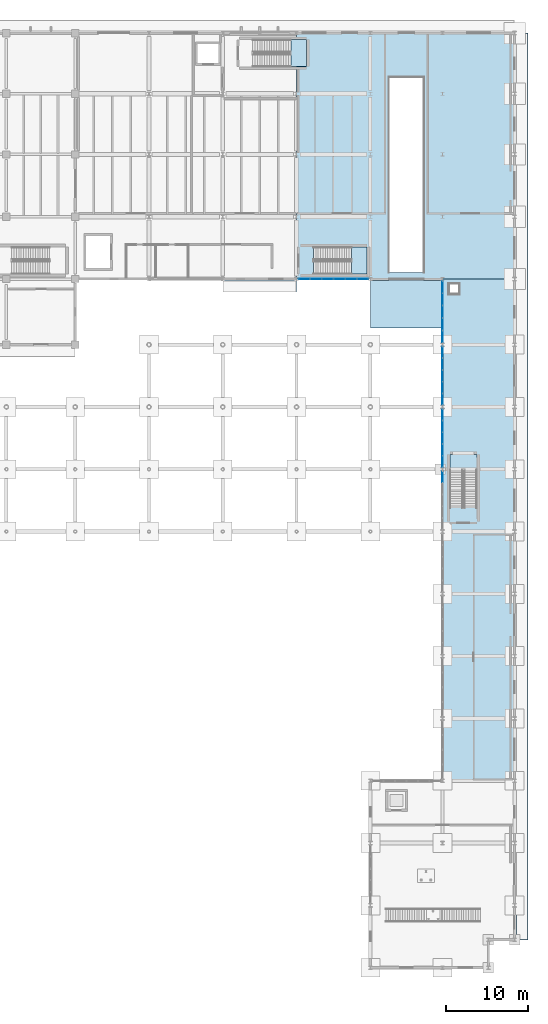
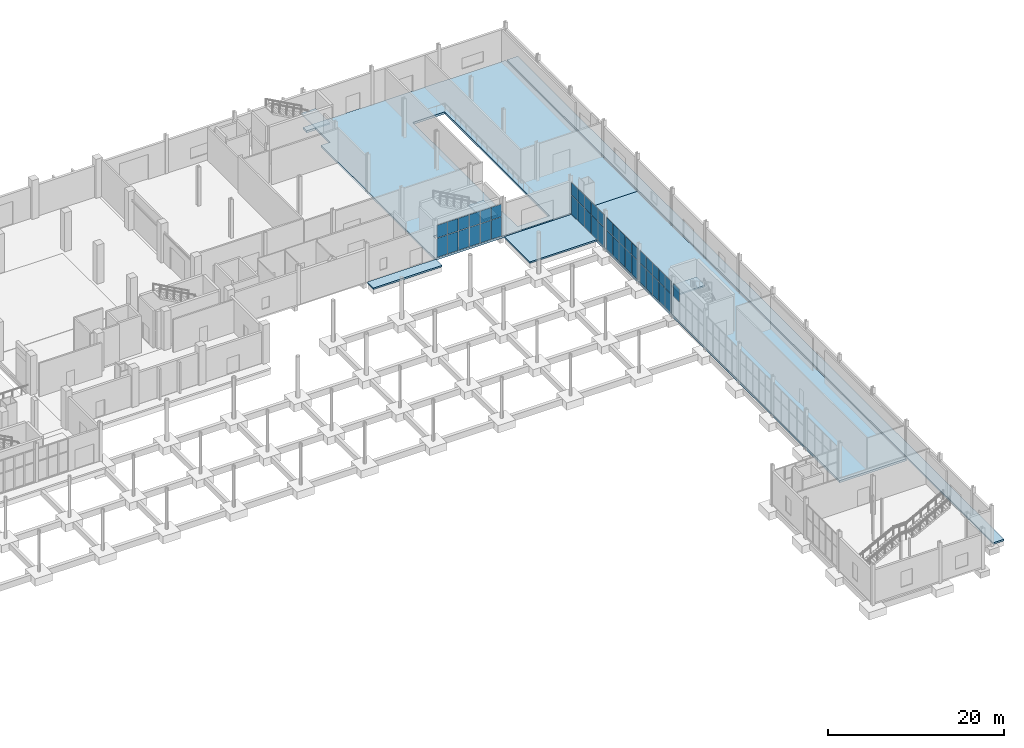
# One storey, part 67 of 95: 43 plates, 8 slabs, 8 elements without a shape of their own.
"""IFC4 building model written with IfcOpenShell, lengths in metres."""

from ifc_helpers import new_model, si_unit, direction, frame, origin, origin_2d, place, context, subcontext, project, spatial, polyline, rectangle, outline, extrude, material, layer, layer_set, type_object, element, aggregate, save


model = new_model("IFC4")

# Units and contexts
model_context = context("Model", 3, precision=1e-05, world=origin(), true_north=direction((0.0, 1.0)))
body_context = subcontext(model_context, "Body", "Model", "MODEL_VIEW")
ifc_project = project(units=[si_unit("LENGTHUNIT", "METRE"), si_unit("AREAUNIT", "SQUARE_METRE"), si_unit("VOLUMEUNIT", "CUBIC_METRE"), si_unit("PLANEANGLEUNIT", "RADIAN"), si_unit("MASSUNIT", "GRAM", prefix="KILO")], contexts=[model_context])

# Site, building, storey
site_placement = place(None, origin())
site = spatial("IfcSite", under=ifc_project, at=site_placement, CompositionType="ELEMENT")
building_placement = place(site_placement, origin())
building = spatial("IfcBuilding", under=site, at=building_placement, Name="Shengluoqiao Park Theatre", CompositionType="ELEMENT")
storey_placement = place(building_placement, origin())
storey = spatial("IfcBuildingStorey", under=building, at=storey_placement, Name="L00", CompositionType="ELEMENT", Elevation=0.0)

# Curtain wall, plates
ifc_material_1 = material(Name="Aluminium 6063-T6", Category="aluminium")
curtain_wall_type_1 = type_object("IfcCurtainWallType", Name="ENV-CW-CLERE", PredefinedType="NOTDEFINED", material=ifc_material_1)
curtain_wall_1_placement = place(storey_placement, origin())
curtain_wall_1 = element("IfcCurtainWall", 1, at=curtain_wall_1_placement, inside=storey, type_object=curtain_wall_type_1, Name="L00 Curtain Wall CWX-L00-0167", PredefinedType="NOTDEFINED")
ifc_material_2 = material(Name="Insulated glass", Category="glass")
ifc_layer_1 = layer(ifc_material_2, 0.0380859375, Name="Insulated glass")
ifc_layer_set_1 = layer_set([ifc_layer_1], Name="Insulated glass")
plate_type = type_object("IfcPlateType", Name="ENV-GLZ-GL-38", PredefinedType="CURTAIN_PANEL", material=ifc_layer_set_1)
plate_1_placement = place(storey_placement, frame((140.33837890625, 84.0, 0.06005859375), z_axis=(0.0, 0.0, 1.0), x_axis=(1.0, 0.0, 0.0)))
plate_1 = element("IfcPlate", 2, at=plate_1_placement, type_object=plate_type, Name="CW-06 panel 1.1", PredefinedType="CURTAIN_PANEL", context=body_context, shape_type="SweptSolid", body=[
    extrude(rectangle(XDim=1.340576171875, YDim=0.0380859375, at=origin_2d()), origin(), (0.0, 0.0, 1.0), 2.639892578125),
])
plate_2_placement = place(storey_placement, frame((140.33837890625, 84.0, 2.760009765625), z_axis=(0.0, 0.0, 1.0), x_axis=(1.0, 0.0, 0.0)))
plate_2 = element("IfcPlate", 3, at=plate_2_placement, type_object=plate_type, Name="CW-06 panel 1.2", PredefinedType="CURTAIN_PANEL", context=body_context, shape_type="SweptSolid", body=[
    extrude(rectangle(XDim=1.340576171875, YDim=0.0380859375, at=origin_2d()), origin(), (0.0, 0.0, 1.0), 1.72998046875),
])
plate_3_placement = place(storey_placement, frame((141.75390625, 84.0, 0.06005859375), z_axis=(0.0, 0.0, 1.0), x_axis=(1.0, 0.0, 0.0)))
plate_3 = element("IfcPlate", 4, at=plate_3_placement, type_object=plate_type, Name="CW-06 panel 2.1", PredefinedType="CURTAIN_PANEL", context=body_context, shape_type="SweptSolid", body=[
    extrude(rectangle(XDim=1.37060546875, YDim=0.0380859375, at=origin_2d()), origin(), (0.0, 0.0, 1.0), 2.639892578125),
])
plate_4_placement = place(storey_placement, frame((141.75390625, 84.0, 2.760009765625), z_axis=(0.0, 0.0, 1.0), x_axis=(1.0, 0.0, 0.0)))
plate_4 = element("IfcPlate", 5, at=plate_4_placement, type_object=plate_type, Name="CW-06 panel 2.2", PredefinedType="CURTAIN_PANEL", context=body_context, shape_type="SweptSolid", body=[
    extrude(rectangle(XDim=1.37060546875, YDim=0.0380859375, at=origin_2d()), origin(), (0.0, 0.0, 1.0), 1.72998046875),
])
plate_5_placement = place(storey_placement, frame((143.1845703125, 84.0, 0.06005859375), z_axis=(0.0, 0.0, 1.0), x_axis=(1.0, 0.0, 0.0)))
plate_5 = element("IfcPlate", 6, at=plate_5_placement, type_object=plate_type, Name="CW-06 panel 3.1", PredefinedType="CURTAIN_PANEL", context=body_context, shape_type="SweptSolid", body=[
    extrude(rectangle(XDim=1.37060546875, YDim=0.0380859375, at=origin_2d()), origin(), (0.0, 0.0, 1.0), 2.639892578125),
])
plate_6_placement = place(storey_placement, frame((143.1845703125, 84.0, 2.760009765625), z_axis=(0.0, 0.0, 1.0), x_axis=(1.0, 0.0, 0.0)))
plate_6 = element("IfcPlate", 7, at=plate_6_placement, type_object=plate_type, Name="CW-06 panel 3.2", PredefinedType="CURTAIN_PANEL", context=body_context, shape_type="SweptSolid", body=[
    extrude(rectangle(XDim=1.37060546875, YDim=0.0380859375, at=origin_2d()), origin(), (0.0, 0.0, 1.0), 1.72998046875),
])
plate_7_placement = place(storey_placement, frame((144.615234375, 84.0, 0.06005859375), z_axis=(0.0, 0.0, 1.0), x_axis=(1.0, 0.0, 0.0)))
plate_7 = element("IfcPlate", 8, at=plate_7_placement, type_object=plate_type, Name="CW-06 panel 4.1", PredefinedType="CURTAIN_PANEL", context=body_context, shape_type="SweptSolid", body=[
    extrude(rectangle(XDim=1.37060546875, YDim=0.0380859375, at=origin_2d()), origin(), (0.0, 0.0, 1.0), 2.639892578125),
])
plate_8_placement = place(storey_placement, frame((144.615234375, 84.0, 2.760009765625), z_axis=(0.0, 0.0, 1.0), x_axis=(1.0, 0.0, 0.0)))
plate_8 = element("IfcPlate", 9, at=plate_8_placement, type_object=plate_type, Name="CW-06 panel 4.2", PredefinedType="CURTAIN_PANEL", context=body_context, shape_type="SweptSolid", body=[
    extrude(rectangle(XDim=1.37060546875, YDim=0.0380859375, at=origin_2d()), origin(), (0.0, 0.0, 1.0), 1.72998046875),
])
plate_9_placement = place(storey_placement, frame((146.0458984375, 84.0, 0.06005859375), z_axis=(0.0, 0.0, 1.0), x_axis=(1.0, 0.0, 0.0)))
plate_9 = element("IfcPlate", 10, at=plate_9_placement, type_object=plate_type, Name="CW-06 panel 5.1", PredefinedType="CURTAIN_PANEL", context=body_context, shape_type="SweptSolid", body=[
    extrude(rectangle(XDim=1.37060546875, YDim=0.0380859375, at=origin_2d()), origin(), (0.0, 0.0, 1.0), 2.639892578125),
])
plate_10_placement = place(storey_placement, frame((146.0458984375, 84.0, 2.760009765625), z_axis=(0.0, 0.0, 1.0), x_axis=(1.0, 0.0, 0.0)))
plate_10 = element("IfcPlate", 11, at=plate_10_placement, type_object=plate_type, Name="CW-06 panel 5.2", PredefinedType="CURTAIN_PANEL", context=body_context, shape_type="SweptSolid", body=[
    extrude(rectangle(XDim=1.37060546875, YDim=0.0380859375, at=origin_2d()), origin(), (0.0, 0.0, 1.0), 1.72998046875),
])
plate_11_placement = place(storey_placement, frame((147.461669921875, 84.0, 0.06005859375), z_axis=(0.0, 0.0, 1.0), x_axis=(1.0, 0.0, 0.0)))
plate_11 = element("IfcPlate", 12, at=plate_11_placement, type_object=plate_type, Name="CW-06 panel 6.1", PredefinedType="CURTAIN_PANEL", context=body_context, shape_type="SweptSolid", body=[
    extrude(rectangle(XDim=1.340576171875, YDim=0.0380859375, at=origin_2d()), origin(), (0.0, 0.0, 1.0), 2.639892578125),
])
plate_12_placement = place(storey_placement, frame((147.461669921875, 84.0, 2.760009765625), z_axis=(0.0, 0.0, 1.0), x_axis=(1.0, 0.0, 0.0)))
plate_12 = element("IfcPlate", 13, at=plate_12_placement, type_object=plate_type, Name="CW-06 panel 6.2", PredefinedType="CURTAIN_PANEL", context=body_context, shape_type="SweptSolid", body=[
    extrude(rectangle(XDim=1.340576171875, YDim=0.0380859375, at=origin_2d()), origin(), (0.0, 0.0, 1.0), 1.72998046875),
])
aggregate(curtain_wall_1, [plate_1, plate_2, plate_3, plate_4, plate_5, plate_6, plate_7, plate_8, plate_9, plate_10, plate_11, plate_12])

# Curtain wall, plate
curtain_wall_type_2 = type_object("IfcCurtainWallType", Name="ENV-CW-COURT", PredefinedType="NOTDEFINED", material=ifc_material_1)
curtain_wall_2_placement = place(storey_placement, origin())
curtain_wall_2 = element("IfcCurtainWall", 14, at=curtain_wall_2_placement, inside=storey, type_object=curtain_wall_type_2, Name="L00 Curtain Wall CWX-L00-0174", PredefinedType="NOTDEFINED")
plate_13_placement = place(storey_placement, frame((157.199951171875, 59.86181640625, 2.7548828125), z_axis=(0.0, 0.0, 1.0), x_axis=(0.0, 1.0, 0.0)))
plate_13 = element("IfcPlate", 15, at=plate_13_placement, type_object=plate_type, Name="CW-05 panel 5.2", PredefinedType="CURTAIN_PANEL", context=body_context, shape_type="SweptSolid", body=[
    extrude(rectangle(XDim=1.348388671875, YDim=0.0380859375, at=origin_2d()), origin(), (0.0, 0.0, 1.0), 1.72705078125),
])
aggregate(curtain_wall_2, [plate_13])

# Curtain wall, plates
curtain_wall_3_placement = place(storey_placement, origin())
curtain_wall_3 = element("IfcCurtainWall", 16, at=curtain_wall_3_placement, inside=storey, type_object=curtain_wall_type_2, Name="L00 Curtain Wall CWX-L00-0175", PredefinedType="NOTDEFINED")
plate_14_placement = place(storey_placement, frame((157.199951171875, 61.73828125, 0.06005859375), z_axis=(0.0, 0.0, 1.0), x_axis=(0.0, 1.0, 0.0)))
plate_14 = element("IfcPlate", 17, at=plate_14_placement, type_object=plate_type, Name="CW-05 panel 1.1", PredefinedType="CURTAIN_PANEL", context=body_context, shape_type="SweptSolid", body=[
    extrude(rectangle(XDim=1.348388671875, YDim=0.0380859375, at=origin_2d()), origin(), (0.0, 0.0, 1.0), 2.635009765625),
])
plate_15_placement = place(storey_placement, frame((157.199951171875, 61.73828125, 2.7548828125), z_axis=(0.0, 0.0, 1.0), x_axis=(0.0, 1.0, 0.0)))
plate_15 = element("IfcPlate", 18, at=plate_15_placement, type_object=plate_type, Name="CW-05 panel 1.2", PredefinedType="CURTAIN_PANEL", context=body_context, shape_type="SweptSolid", body=[
    extrude(rectangle(XDim=1.348388671875, YDim=0.0380859375, at=origin_2d()), origin(), (0.0, 0.0, 1.0), 1.72705078125),
])
plate_16_placement = place(storey_placement, frame((157.199951171875, 63.16162109375, 0.06005859375), z_axis=(0.0, 0.0, 1.0), x_axis=(0.0, 1.0, 0.0)))
plate_16 = element("IfcPlate", 19, at=plate_16_placement, type_object=plate_type, Name="CW-05 panel 2.1", PredefinedType="CURTAIN_PANEL", context=body_context, shape_type="SweptSolid", body=[
    extrude(rectangle(XDim=1.37841796875, YDim=0.0380859375, at=origin_2d()), origin(), (0.0, 0.0, 1.0), 2.635009765625),
])
plate_17_placement = place(storey_placement, frame((157.199951171875, 63.16162109375, 2.7548828125), z_axis=(0.0, 0.0, 1.0), x_axis=(0.0, 1.0, 0.0)))
plate_17 = element("IfcPlate", 20, at=plate_17_placement, type_object=plate_type, Name="CW-05 panel 2.2", PredefinedType="CURTAIN_PANEL", context=body_context, shape_type="SweptSolid", body=[
    extrude(rectangle(XDim=1.37841796875, YDim=0.0380859375, at=origin_2d()), origin(), (0.0, 0.0, 1.0), 1.72705078125),
])
plate_18_placement = place(storey_placement, frame((157.199951171875, 64.60009765625, 0.06005859375), z_axis=(0.0, 0.0, 1.0), x_axis=(0.0, 1.0, 0.0)))
plate_18 = element("IfcPlate", 21, at=plate_18_placement, type_object=plate_type, Name="CW-05 panel 3.1", PredefinedType="CURTAIN_PANEL", context=body_context, shape_type="SweptSolid", body=[
    extrude(rectangle(XDim=1.37841796875, YDim=0.0380859375, at=origin_2d()), origin(), (0.0, 0.0, 1.0), 2.635009765625),
])
plate_19_placement = place(storey_placement, frame((157.199951171875, 64.60009765625, 2.7548828125), z_axis=(0.0, 0.0, 1.0), x_axis=(0.0, 1.0, 0.0)))
plate_19 = element("IfcPlate", 22, at=plate_19_placement, type_object=plate_type, Name="CW-05 panel 3.2", PredefinedType="CURTAIN_PANEL", context=body_context, shape_type="SweptSolid", body=[
    extrude(rectangle(XDim=1.37841796875, YDim=0.0380859375, at=origin_2d()), origin(), (0.0, 0.0, 1.0), 1.72705078125),
])
plate_20_placement = place(storey_placement, frame((157.199951171875, 66.038330078125, 0.06005859375), z_axis=(0.0, 0.0, 1.0), x_axis=(0.0, 1.0, 0.0)))
plate_20 = element("IfcPlate", 23, at=plate_20_placement, type_object=plate_type, Name="CW-05 panel 4.1", PredefinedType="CURTAIN_PANEL", context=body_context, shape_type="SweptSolid", body=[
    extrude(rectangle(XDim=1.37841796875, YDim=0.0380859375, at=origin_2d()), origin(), (0.0, 0.0, 1.0), 2.635009765625),
])
plate_21_placement = place(storey_placement, frame((157.199951171875, 66.038330078125, 2.7548828125), z_axis=(0.0, 0.0, 1.0), x_axis=(0.0, 1.0, 0.0)))
plate_21 = element("IfcPlate", 24, at=plate_21_placement, type_object=plate_type, Name="CW-05 panel 4.2", PredefinedType="CURTAIN_PANEL", context=body_context, shape_type="SweptSolid", body=[
    extrude(rectangle(XDim=1.37841796875, YDim=0.0380859375, at=origin_2d()), origin(), (0.0, 0.0, 1.0), 1.72705078125),
])
plate_22_placement = place(storey_placement, frame((157.199951171875, 67.4619140625, 0.06005859375), z_axis=(0.0, 0.0, 1.0), x_axis=(0.0, 1.0, 0.0)))
plate_22 = element("IfcPlate", 25, at=plate_22_placement, type_object=plate_type, Name="CW-05 panel 5.1", PredefinedType="CURTAIN_PANEL", context=body_context, shape_type="SweptSolid", body=[
    extrude(rectangle(XDim=1.348388671875, YDim=0.0380859375, at=origin_2d()), origin(), (0.0, 0.0, 1.0), 2.635009765625),
])
plate_23_placement = place(storey_placement, frame((157.199951171875, 67.4619140625, 2.7548828125), z_axis=(0.0, 0.0, 1.0), x_axis=(0.0, 1.0, 0.0)))
plate_23 = element("IfcPlate", 26, at=plate_23_placement, type_object=plate_type, Name="CW-05 panel 5.2", PredefinedType="CURTAIN_PANEL", context=body_context, shape_type="SweptSolid", body=[
    extrude(rectangle(XDim=1.348388671875, YDim=0.0380859375, at=origin_2d()), origin(), (0.0, 0.0, 1.0), 1.72705078125),
])
aggregate(curtain_wall_3, [plate_14, plate_15, plate_16, plate_17, plate_18, plate_19, plate_20, plate_21, plate_22, plate_23])

curtain_wall_4_placement = place(storey_placement, origin())
curtain_wall_4 = element("IfcCurtainWall", 27, at=curtain_wall_4_placement, inside=storey, type_object=curtain_wall_type_2, Name="L00 Curtain Wall CWX-L00-0176", PredefinedType="NOTDEFINED")
plate_24_placement = place(storey_placement, frame((157.199951171875, 69.338134765625, 0.06005859375), z_axis=(0.0, 0.0, 1.0), x_axis=(0.0, 1.0, 0.0)))
plate_24 = element("IfcPlate", 28, at=plate_24_placement, type_object=plate_type, Name="CW-05 panel 1.1", PredefinedType="CURTAIN_PANEL", context=body_context, shape_type="SweptSolid", body=[
    extrude(rectangle(XDim=1.348388671875, YDim=0.0380859375, at=origin_2d()), origin(), (0.0, 0.0, 1.0), 2.635009765625),
])
plate_25_placement = place(storey_placement, frame((157.199951171875, 69.338134765625, 2.7548828125), z_axis=(0.0, 0.0, 1.0), x_axis=(0.0, 1.0, 0.0)))
plate_25 = element("IfcPlate", 29, at=plate_25_placement, type_object=plate_type, Name="CW-05 panel 1.2", PredefinedType="CURTAIN_PANEL", context=body_context, shape_type="SweptSolid", body=[
    extrude(rectangle(XDim=1.348388671875, YDim=0.0380859375, at=origin_2d()), origin(), (0.0, 0.0, 1.0), 1.72705078125),
])
plate_26_placement = place(storey_placement, frame((157.199951171875, 70.76171875, 0.06005859375), z_axis=(0.0, 0.0, 1.0), x_axis=(0.0, 1.0, 0.0)))
plate_26 = element("IfcPlate", 30, at=plate_26_placement, type_object=plate_type, Name="CW-05 panel 2.1", PredefinedType="CURTAIN_PANEL", context=body_context, shape_type="SweptSolid", body=[
    extrude(rectangle(XDim=1.37841796875, YDim=0.0380859375, at=origin_2d()), origin(), (0.0, 0.0, 1.0), 2.635009765625),
])
plate_27_placement = place(storey_placement, frame((157.199951171875, 70.76171875, 2.7548828125), z_axis=(0.0, 0.0, 1.0), x_axis=(0.0, 1.0, 0.0)))
plate_27 = element("IfcPlate", 31, at=plate_27_placement, type_object=plate_type, Name="CW-05 panel 2.2", PredefinedType="CURTAIN_PANEL", context=body_context, shape_type="SweptSolid", body=[
    extrude(rectangle(XDim=1.37841796875, YDim=0.0380859375, at=origin_2d()), origin(), (0.0, 0.0, 1.0), 1.72705078125),
])
plate_28_placement = place(storey_placement, frame((157.199951171875, 72.199951171875, 0.06005859375), z_axis=(0.0, 0.0, 1.0), x_axis=(0.0, 1.0, 0.0)))
plate_28 = element("IfcPlate", 32, at=plate_28_placement, type_object=plate_type, Name="CW-05 panel 3.1", PredefinedType="CURTAIN_PANEL", context=body_context, shape_type="SweptSolid", body=[
    extrude(rectangle(XDim=1.37841796875, YDim=0.0380859375, at=origin_2d()), origin(), (0.0, 0.0, 1.0), 2.635009765625),
])
plate_29_placement = place(storey_placement, frame((157.199951171875, 72.199951171875, 2.7548828125), z_axis=(0.0, 0.0, 1.0), x_axis=(0.0, 1.0, 0.0)))
plate_29 = element("IfcPlate", 33, at=plate_29_placement, type_object=plate_type, Name="CW-05 panel 3.2", PredefinedType="CURTAIN_PANEL", context=body_context, shape_type="SweptSolid", body=[
    extrude(rectangle(XDim=1.37841796875, YDim=0.0380859375, at=origin_2d()), origin(), (0.0, 0.0, 1.0), 1.72705078125),
])
plate_30_placement = place(storey_placement, frame((157.199951171875, 73.638427734375, 0.06005859375), z_axis=(0.0, 0.0, 1.0), x_axis=(0.0, 1.0, 0.0)))
plate_30 = element("IfcPlate", 34, at=plate_30_placement, type_object=plate_type, Name="CW-05 panel 4.1", PredefinedType="CURTAIN_PANEL", context=body_context, shape_type="SweptSolid", body=[
    extrude(rectangle(XDim=1.37841796875, YDim=0.0380859375, at=origin_2d()), origin(), (0.0, 0.0, 1.0), 2.635009765625),
])
plate_31_placement = place(storey_placement, frame((157.199951171875, 73.638427734375, 2.7548828125), z_axis=(0.0, 0.0, 1.0), x_axis=(0.0, 1.0, 0.0)))
plate_31 = element("IfcPlate", 35, at=plate_31_placement, type_object=plate_type, Name="CW-05 panel 4.2", PredefinedType="CURTAIN_PANEL", context=body_context, shape_type="SweptSolid", body=[
    extrude(rectangle(XDim=1.37841796875, YDim=0.0380859375, at=origin_2d()), origin(), (0.0, 0.0, 1.0), 1.72705078125),
])
plate_32_placement = place(storey_placement, frame((157.199951171875, 75.061767578125, 0.06005859375), z_axis=(0.0, 0.0, 1.0), x_axis=(0.0, 1.0, 0.0)))
plate_32 = element("IfcPlate", 36, at=plate_32_placement, type_object=plate_type, Name="CW-05 panel 5.1", PredefinedType="CURTAIN_PANEL", context=body_context, shape_type="SweptSolid", body=[
    extrude(rectangle(XDim=1.348388671875, YDim=0.0380859375, at=origin_2d()), origin(), (0.0, 0.0, 1.0), 2.635009765625),
])
plate_33_placement = place(storey_placement, frame((157.199951171875, 75.061767578125, 2.7548828125), z_axis=(0.0, 0.0, 1.0), x_axis=(0.0, 1.0, 0.0)))
plate_33 = element("IfcPlate", 37, at=plate_33_placement, type_object=plate_type, Name="CW-05 panel 5.2", PredefinedType="CURTAIN_PANEL", context=body_context, shape_type="SweptSolid", body=[
    extrude(rectangle(XDim=1.348388671875, YDim=0.0380859375, at=origin_2d()), origin(), (0.0, 0.0, 1.0), 1.72705078125),
])
aggregate(curtain_wall_4, [plate_24, plate_25, plate_26, plate_27, plate_28, plate_29, plate_30, plate_31, plate_32, plate_33])

curtain_wall_5_placement = place(storey_placement, origin())
curtain_wall_5 = element("IfcCurtainWall", 38, at=curtain_wall_5_placement, inside=storey, type_object=curtain_wall_type_2, Name="L00 Curtain Wall CWX-L00-0177", PredefinedType="NOTDEFINED")
plate_34_placement = place(storey_placement, frame((157.199951171875, 76.978271484375, 0.06005859375), z_axis=(0.0, 0.0, 1.0), x_axis=(0.0, 1.0, 0.0)))
plate_34 = element("IfcPlate", 39, at=plate_34_placement, type_object=plate_type, Name="CW-05 panel 1.1", PredefinedType="CURTAIN_PANEL", context=body_context, shape_type="SweptSolid", body=[
    extrude(rectangle(XDim=1.428466796875, YDim=0.0380859375, at=origin_2d()), origin(), (0.0, 0.0, 1.0), 2.635009765625),
])
plate_35_placement = place(storey_placement, frame((157.199951171875, 76.978271484375, 2.7548828125), z_axis=(0.0, 0.0, 1.0), x_axis=(0.0, 1.0, 0.0)))
plate_35 = element("IfcPlate", 40, at=plate_35_placement, type_object=plate_type, Name="CW-05 panel 1.2", PredefinedType="CURTAIN_PANEL", context=body_context, shape_type="SweptSolid", body=[
    extrude(rectangle(XDim=1.428466796875, YDim=0.0380859375, at=origin_2d()), origin(), (0.0, 0.0, 1.0), 1.72705078125),
])
plate_36_placement = place(storey_placement, frame((157.199951171875, 78.481689453125, 0.06005859375), z_axis=(0.0, 0.0, 1.0), x_axis=(0.0, 1.0, 0.0)))
plate_36 = element("IfcPlate", 41, at=plate_36_placement, type_object=plate_type, Name="CW-05 panel 2.1", PredefinedType="CURTAIN_PANEL", context=body_context, shape_type="SweptSolid", body=[
    extrude(rectangle(XDim=1.45849609375, YDim=0.0380859375, at=origin_2d()), origin(), (0.0, 0.0, 1.0), 2.635009765625),
])
plate_37_placement = place(storey_placement, frame((157.199951171875, 78.481689453125, 2.7548828125), z_axis=(0.0, 0.0, 1.0), x_axis=(0.0, 1.0, 0.0)))
plate_37 = element("IfcPlate", 42, at=plate_37_placement, type_object=plate_type, Name="CW-05 panel 2.2", PredefinedType="CURTAIN_PANEL", context=body_context, shape_type="SweptSolid", body=[
    extrude(rectangle(XDim=1.45849609375, YDim=0.0380859375, at=origin_2d()), origin(), (0.0, 0.0, 1.0), 1.72705078125),
])
plate_38_placement = place(storey_placement, frame((157.199951171875, 80.0, 0.06005859375), z_axis=(0.0, 0.0, 1.0), x_axis=(0.0, 1.0, 0.0)))
plate_38 = element("IfcPlate", 43, at=plate_38_placement, type_object=plate_type, Name="CW-05 panel 3.1", PredefinedType="CURTAIN_PANEL", context=body_context, shape_type="SweptSolid", body=[
    extrude(rectangle(XDim=1.45849609375, YDim=0.0380859375, at=origin_2d()), origin(), (0.0, 0.0, 1.0), 2.635009765625),
])
plate_39_placement = place(storey_placement, frame((157.199951171875, 80.0, 2.7548828125), z_axis=(0.0, 0.0, 1.0), x_axis=(0.0, 1.0, 0.0)))
plate_39 = element("IfcPlate", 44, at=plate_39_placement, type_object=plate_type, Name="CW-05 panel 3.2", PredefinedType="CURTAIN_PANEL", context=body_context, shape_type="SweptSolid", body=[
    extrude(rectangle(XDim=1.45849609375, YDim=0.0380859375, at=origin_2d()), origin(), (0.0, 0.0, 1.0), 1.72705078125),
])
plate_40_placement = place(storey_placement, frame((157.199951171875, 81.518310546875, 0.06005859375), z_axis=(0.0, 0.0, 1.0), x_axis=(0.0, 1.0, 0.0)))
plate_40 = element("IfcPlate", 45, at=plate_40_placement, type_object=plate_type, Name="CW-05 panel 4.1", PredefinedType="CURTAIN_PANEL", context=body_context, shape_type="SweptSolid", body=[
    extrude(rectangle(XDim=1.45849609375, YDim=0.0380859375, at=origin_2d()), origin(), (0.0, 0.0, 1.0), 2.635009765625),
])
plate_41_placement = place(storey_placement, frame((157.199951171875, 81.518310546875, 2.7548828125), z_axis=(0.0, 0.0, 1.0), x_axis=(0.0, 1.0, 0.0)))
plate_41 = element("IfcPlate", 46, at=plate_41_placement, type_object=plate_type, Name="CW-05 panel 4.2", PredefinedType="CURTAIN_PANEL", context=body_context, shape_type="SweptSolid", body=[
    extrude(rectangle(XDim=1.45849609375, YDim=0.0380859375, at=origin_2d()), origin(), (0.0, 0.0, 1.0), 1.72705078125),
])
plate_42_placement = place(storey_placement, frame((157.199951171875, 83.021728515625, 0.06005859375), z_axis=(0.0, 0.0, 1.0), x_axis=(0.0, 1.0, 0.0)))
plate_42 = element("IfcPlate", 47, at=plate_42_placement, type_object=plate_type, Name="CW-05 panel 5.1", PredefinedType="CURTAIN_PANEL", context=body_context, shape_type="SweptSolid", body=[
    extrude(rectangle(XDim=1.428466796875, YDim=0.0380859375, at=origin_2d()), origin(), (0.0, 0.0, 1.0), 2.635009765625),
])
plate_43_placement = place(storey_placement, frame((157.199951171875, 83.021728515625, 2.7548828125), z_axis=(0.0, 0.0, 1.0), x_axis=(0.0, 1.0, 0.0)))
plate_43 = element("IfcPlate", 48, at=plate_43_placement, type_object=plate_type, Name="CW-05 panel 5.2", PredefinedType="CURTAIN_PANEL", context=body_context, shape_type="SweptSolid", body=[
    extrude(rectangle(XDim=1.428466796875, YDim=0.0380859375, at=origin_2d()), origin(), (0.0, 0.0, 1.0), 1.72705078125),
])
aggregate(curtain_wall_5, [plate_34, plate_35, plate_36, plate_37, plate_38, plate_39, plate_40, plate_41, plate_42, plate_43])

# Slabs
ifc_material_3 = material(Name="Concrete C40", Category="concrete")
ifc_layer_2 = layer(ifc_material_3, 0.219970703125, Name="Concrete C40")
ifc_layer_set_2 = layer_set([ifc_layer_2], Name="Concrete C40")
slab_type_1 = type_object("IfcSlabType", Name="ENV-SLB-APRON", PredefinedType="BASESLAB", material=ifc_layer_set_2)
slab_1_placement = place(storey_placement, frame((0.0, 0.0, -0.219970703125)))
element("IfcSlab", 49, at=slab_1_placement, inside=storey, type_object=slab_type_1, Name="Exterior Threshold Apron APR-EAST-ART", PredefinedType="BASESLAB", context=body_context, shape_type="SweptSolid", body=[
    extrude(outline(polyline([(166.179931640625, 3.39990234375), (167.60009765625, 3.39990234375), (167.60009765625, 114.0), (166.179931640625, 114.0), (166.179931640625, 3.39990234375)])), origin(), (0.0, 0.0, 1.0), 0.219970703125),
])
slab_2_placement = place(storey_placement, frame((0.0, 0.0, -0.219970703125)))
element("IfcSlab", 50, at=slab_2_placement, inside=storey, type_object=slab_type_1, Name="Exterior Threshold Apron APR-VRAMP-CRT", PredefinedType="BASESLAB", context=body_context, shape_type="SweptSolid", body=[
    extrude(outline(polyline([(148.39990234375, 78.0), (157.199951171875, 78.0), (157.199951171875, 83.800048828125), (148.39990234375, 83.800048828125), (148.39990234375, 78.0)])), origin(), (0.0, 0.0, 1.0), 0.219970703125),
])
slab_3_placement = place(storey_placement, frame((0.0, 0.0, -0.219970703125)))
element("IfcSlab", 51, at=slab_3_placement, inside=storey, type_object=slab_type_1, Name="Exterior Threshold Apron APR-ST10-CRT", PredefinedType="BASESLAB", context=body_context, shape_type="SweptSolid", body=[
    extrude(outline(polyline([(130.39990234375, 82.39990234375), (139.39990234375, 82.39990234375), (139.39990234375, 83.800048828125), (130.39990234375, 83.800048828125), (130.39990234375, 82.39990234375)])), origin(), (0.0, 0.0, 1.0), 0.219970703125),
])

# Stair, slab
stair_type = type_object("IfcStairType", Name="INT-STR-CORE", PredefinedType="HALF_TURN_STAIR", material=ifc_material_3)
stair_1_placement = place(storey_placement, origin())
stair_1 = element("IfcStair", 52, at=stair_1_placement, inside=storey, type_object=stair_type, Name="L00 Backstage and Workshop Escape Stair 06", PredefinedType="HALF_TURN_STAIR")
ifc_layer_3 = layer(ifc_material_3, 0.169921875, Name="Concrete C40")
ifc_layer_set_3 = layer_set([ifc_layer_3], Name="Concrete C40")
slab_type_2 = type_object("IfcSlabType", Name="INT-LND-SL-170", PredefinedType="LANDING", material=ifc_layer_set_3)
slab_4_placement = place(storey_placement, frame((0.0, 0.0, 2.5)))
slab_4 = element("IfcSlab", 53, at=slab_4_placement, type_object=slab_type_2, Name="ST-06 landing 1", PredefinedType="LANDING", context=body_context, shape_type="SweptSolid", body=[
    extrude(outline(polyline([(138.68994140625, 109.89990234375), (140.60009765625, 109.89990234375), (140.60009765625, 113.199951171875), (138.68994140625, 113.199951171875), (138.68994140625, 109.89990234375)])), origin(), (0.0, 0.0, 1.0), 0.199951171875),
])
aggregate(stair_1, [slab_4])

stair_2_placement = place(storey_placement, origin())
stair_2 = element("IfcStair", 54, at=stair_2_placement, inside=storey, type_object=stair_type, Name="L00 Upper Backstage Escape Stair 10", PredefinedType="HALF_TURN_STAIR")
ifc_layer_4 = layer(ifc_material_3, 0.199951171875, Name="Concrete C40")
ifc_layer_set_4 = layer_set([ifc_layer_4], Name="Concrete C40")
slab_type_3 = type_object("IfcSlabType", Name="INT-LND-SL-200", PredefinedType="LANDING", material=ifc_layer_set_4)
slab_5_placement = place(storey_placement, frame((0.0, 0.0, 2.5)))
slab_5 = element("IfcSlab", 55, at=slab_5_placement, type_object=slab_type_3, Name="ST-10 landing 1", PredefinedType="LANDING", context=body_context, shape_type="SweptSolid", body=[
    extrude(outline(polyline([(146.090087890625, 84.60009765625), (148.0, 84.60009765625), (148.0, 87.89990234375), (146.090087890625, 87.89990234375), (146.090087890625, 84.60009765625)])), origin(), (0.0, 0.0, 1.0), 0.199951171875),
])
aggregate(stair_2, [slab_5])

stair_3_placement = place(storey_placement, origin())
stair_3 = element("IfcStair", 56, at=stair_3_placement, inside=storey, type_object=stair_type, Name="L00 East Artist Wing Escape Stair 12", PredefinedType="HALF_TURN_STAIR")
slab_6_placement = place(storey_placement, frame((0.0, 0.0, 2.5)))
slab_6 = element("IfcSlab", 57, at=slab_6_placement, type_object=slab_type_3, Name="ST-12 landing 1", PredefinedType="LANDING", context=body_context, shape_type="SweptSolid", body=[
    extrude(outline(polyline([(161.39990234375, 60.68994140625), (161.39990234375, 62.60009765625), (158.10009765625, 62.60009765625), (158.10009765625, 60.68994140625), (161.39990234375, 60.68994140625)])), origin(), (0.0, 0.0, 1.0), 0.199951171875),
])
aggregate(stair_3, [slab_6])

# Slabs
ifc_layer_5 = layer(ifc_material_3, 0.300048828125, Name="Concrete C40")
ifc_layer_set_5 = layer_set([ifc_layer_5], Name="Concrete C40")
slab_type_4 = type_object("IfcSlabType", Name="STR-SLB-FL300", PredefinedType="FLOOR", material=ifc_layer_set_5)
slab_7_placement = place(storey_placement, frame((0.0, 0.0, -0.300048828125)))
element("IfcSlab", 58, at=slab_7_placement, inside=storey, type_object=slab_type_4, Name="Floor Slab L00-V6-NE2", PredefinedType="FLOOR", context=body_context, shape_type="SweptSolid", body=[
    extrude(outline(polyline([(139.39990234375, 114.0), (166.0, 114.0), (166.0, 84.0), (139.39990234375, 84.0), (139.39990234375, 109.89990234375), (140.60009765625, 109.89990234375), (140.60009765625, 113.199951171875), (139.39990234375, 113.199951171875), (139.39990234375, 114.0)]), holes=[polyline([(148.0, 84.60009765625), (148.0, 87.89990234375), (141.4541015625, 87.89990234375), (141.4541015625, 84.60009765625), (148.0, 84.60009765625)]), polyline([(154.89990234375, 84.800048828125), (154.89990234375, 108.60009765625), (150.699951171875, 108.60009765625), (150.699951171875, 84.800048828125), (154.89990234375, 84.800048828125)])]), origin(), (0.0, 0.0, 1.0), 0.300048828125),
])
slab_8_placement = place(storey_placement, frame((0.0, 0.0, -0.300048828125)))
element("IfcSlab", 59, at=slab_8_placement, inside=storey, type_object=slab_type_4, Name="Floor Slab L00-V6-MID", PredefinedType="FLOOR", context=body_context, shape_type="SweptSolid", body=[
    extrude(outline(polyline([(157.199951171875, 22.800048828125), (157.199951171875, 84.0), (166.0, 84.0), (166.0, 22.800048828125), (157.199951171875, 22.800048828125)]), holes=[polyline([(159.219970703125, 83.419921875), (158.0, 83.419921875), (158.0, 82.199951171875), (159.219970703125, 82.199951171875), (159.219970703125, 83.419921875)])]), origin(), (0.0, 0.0, 1.0), 0.300048828125),
])

save(model, "model.ifc")
